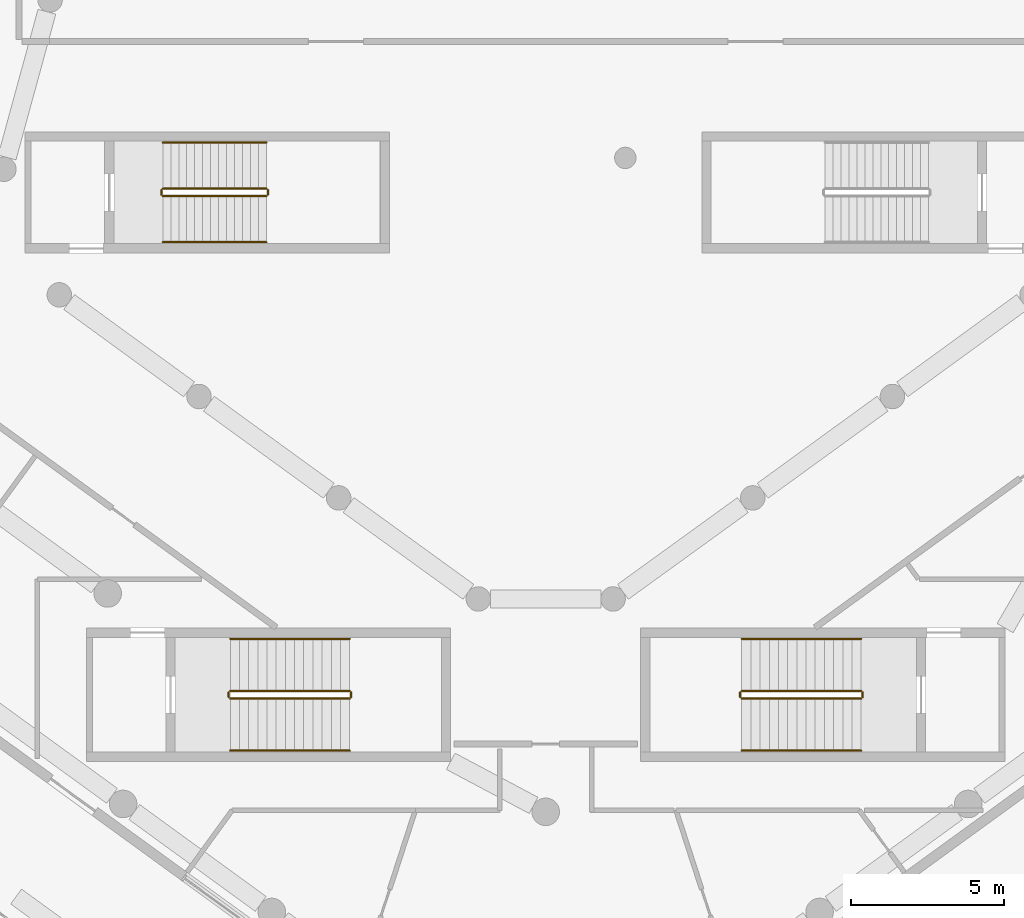
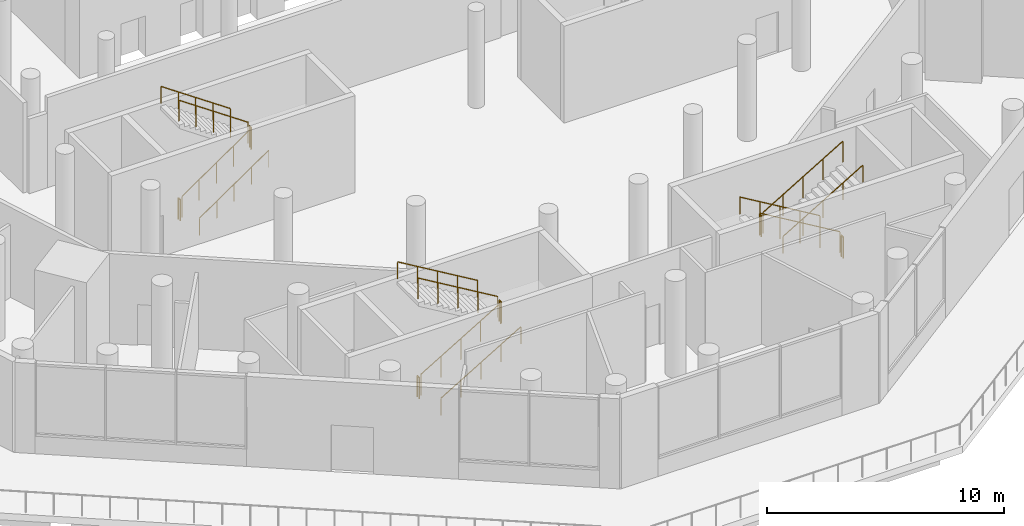
# One storey, part 15 of 19: 18 railings.
"""IFC4 building model written with IfcOpenShell, lengths in metres."""

from ifc_helpers import new_model, si_unit, direction, frame, origin, origin_2d, place, context, subcontext, project, spatial, circle, extrude, material, type_object, element, save


model = new_model("IFC4")

# Units and contexts
model_context = context("Model", 3, precision=1e-05, world=origin(), true_north=direction((0.0, 1.0)))
body_context = subcontext(model_context, "Body", "Model", "MODEL_VIEW")
ifc_project = project(units=[si_unit("LENGTHUNIT", "METRE"), si_unit("AREAUNIT", "SQUARE_METRE"), si_unit("VOLUMEUNIT", "CUBIC_METRE"), si_unit("PLANEANGLEUNIT", "RADIAN"), si_unit("MASSUNIT", "GRAM", prefix="KILO")], contexts=[model_context])

# Site, building, storey
site_placement = place(None, origin())
site = spatial("IfcSite", under=ifc_project, at=site_placement, CompositionType="ELEMENT")
building_placement = place(site_placement, origin())
building = spatial("IfcBuilding", under=site, at=building_placement, Name="White Candle Pilgrim Tower", CompositionType="ELEMENT")
storey_placement = place(building_placement, frame((0.0, 0.0, 29.0)))
storey = spatial("IfcBuildingStorey", under=building, at=storey_placement, Name="L04", CompositionType="ELEMENT", Elevation=29.0)

# Railings
ifc_material = material(Name="Stainless steel", Category="steel")
railing_type_1 = type_object("IfcRailingType", Name="Stair guard stainless steel 1100 mm", PredefinedType="GUARDRAIL", material=ifc_material)
railing_1_placement = place(storey_placement, frame((57.5, 59.75, 0.178466796875)))
element("IfcRailing", 1, at=railing_1_placement, inside=storey, type_object=railing_type_1, Name="L04 ST5 stair guard 1", PredefinedType="GUARDRAIL", context=body_context, shape_type="SweptSolid", body=[
    extrude(circle(Radius=0.02392578125, at=origin_2d()), frame((0.0, 0.0, 1.076171875), z_axis=(0.824285065979, 0.0, 0.566174999451), x_axis=(0.0, 1.0, 0.0)), (0.0, 0.0, 1.0), 4.100341796875),
    extrude(circle(Radius=0.02099609375, at=origin_2d()), origin(), (0.0, 0.0, 1.0), 1.052001953125),
    extrude(circle(Radius=0.02099609375, at=origin_2d()), frame((0.844970703125, 0.0, 0.580322265625)), (0.0, 0.0, 1.0), 1.052001953125),
    extrude(circle(Radius=0.02099609375, at=origin_2d()), frame((1.68994140625, 0.0, 1.16064453125)), (0.0, 0.0, 1.0), 1.052001953125),
    extrude(circle(Radius=0.02099609375, at=origin_2d()), frame((2.534912109375, 0.0, 1.7412109375)), (0.0, 0.0, 1.0), 1.052001953125),
    extrude(circle(Radius=0.02099609375, at=origin_2d()), frame((3.3798828125, 0.0, 2.321533203125)), (0.0, 0.0, 1.0), 1.052001953125),
])
railing_2_placement = place(storey_placement, frame((60.929931640625, 59.800048828125, 2.5)))
element("IfcRailing", 2, at=railing_2_placement, inside=storey, type_object=railing_type_1, Name="L04 ST5 stair guard 2", PredefinedType="GUARDRAIL", context=body_context, shape_type="SweptSolid", body=[
    extrude(circle(Radius=0.02392578125, at=origin_2d()), frame((0.0, 0.0, 1.076171875), z_axis=(0.0, 1.0, 0.0), x_axis=(-1.0, 0.0, 0.0)), (0.0, 0.0, 1.0), 0.14990234375),
    extrude(circle(Radius=0.02099609375, at=origin_2d()), origin(), (0.0, 0.0, 1.0), 1.052001953125),
    extrude(circle(Radius=0.02099609375, at=origin_2d()), frame((0.0, 0.14990234375, 0.0)), (0.0, 0.0, 1.0), 1.052001953125),
])
railing_3_placement = place(storey_placement, frame((60.8798828125, 60.0, 2.678466796875)))
element("IfcRailing", 3, at=railing_3_placement, inside=storey, type_object=railing_type_1, Name="L04 ST5 stair guard 3", PredefinedType="GUARDRAIL", context=body_context, shape_type="SweptSolid", body=[
    extrude(circle(Radius=0.02392578125, at=origin_2d()), frame((0.0, 0.0, 1.076171875), z_axis=(-0.824285065979, 0.0, 0.566174999451), x_axis=(0.0, -1.0, 0.0)), (0.0, 0.0, 1.0), 4.100341796875),
    extrude(circle(Radius=0.02099609375, at=origin_2d()), origin(), (0.0, 0.0, 1.0), 1.052001953125),
    extrude(circle(Radius=0.02099609375, at=origin_2d()), frame((-0.844970703125, 0.0, 0.580322265625)), (0.0, 0.0, 1.0), 1.052001953125),
    extrude(circle(Radius=0.02099609375, at=origin_2d()), frame((-1.68994140625, 0.0, 1.16064453125)), (0.0, 0.0, 1.0), 1.052001953125),
    extrude(circle(Radius=0.02099609375, at=origin_2d()), frame((-2.534912109375, 0.0, 1.7412109375)), (0.0, 0.0, 1.0), 1.052001953125),
    extrude(circle(Radius=0.02099609375, at=origin_2d()), frame((-3.3798828125, 0.0, 2.321533203125)), (0.0, 0.0, 1.0), 1.052001953125),
])
railing_4_placement = place(storey_placement, frame((57.449951171875, 59.800048828125, 0.0)))
element("IfcRailing", 4, at=railing_4_placement, inside=storey, type_object=railing_type_1, Name="L04 ST5 stair guard 4", PredefinedType="GUARDRAIL", context=body_context, shape_type="SweptSolid", body=[
    extrude(circle(Radius=0.02392578125, at=origin_2d()), frame((0.0, 0.0, 1.076171875), z_axis=(0.0, 1.0, 0.0), x_axis=(-1.0, 0.0, 0.0)), (0.0, 0.0, 1.0), 0.14990234375),
    extrude(circle(Radius=0.02099609375, at=origin_2d()), origin(), (0.0, 0.0, 1.0), 1.052001953125),
    extrude(circle(Radius=0.02099609375, at=origin_2d()), frame((0.0, 0.14990234375, 0.0)), (0.0, 0.0, 1.0), 1.052001953125),
])
railing_5_placement = place(storey_placement, frame((59.699951171875, 43.35009765625, 0.178466796875)))
element("IfcRailing", 5, at=railing_5_placement, inside=storey, type_object=railing_type_1, Name="L04 ST6 stair guard 1", PredefinedType="GUARDRAIL", context=body_context, shape_type="SweptSolid", body=[
    extrude(circle(Radius=0.02392578125, at=origin_2d()), frame((0.0, 0.0, 1.076171875), z_axis=(0.859291195736, 0.0, 0.511486696729), x_axis=(0.0, 1.0, 0.0)), (0.0, 0.0, 1.0), 4.538818359375),
    extrude(circle(Radius=0.02099609375, at=origin_2d()), origin(), (0.0, 0.0, 1.0), 1.052001953125),
    extrude(circle(Radius=0.02099609375, at=origin_2d()), frame((0.97509765625, 0.0, 0.580322265625)), (0.0, 0.0, 1.0), 1.052001953125),
    extrude(circle(Radius=0.02099609375, at=origin_2d()), frame((1.9501953125, 0.0, 1.16064453125)), (0.0, 0.0, 1.0), 1.052001953125),
    extrude(circle(Radius=0.02099609375, at=origin_2d()), frame((2.925048828125, 0.0, 1.7412109375)), (0.0, 0.0, 1.0), 1.052001953125),
    extrude(circle(Radius=0.02099609375, at=origin_2d()), frame((3.900146484375, 0.0, 2.321533203125)), (0.0, 0.0, 1.0), 1.052001953125),
])
railing_6_placement = place(storey_placement, frame((63.64990234375, 43.39990234375, 2.5)))
element("IfcRailing", 6, at=railing_6_placement, inside=storey, type_object=railing_type_1, Name="L04 ST6 stair guard 2", PredefinedType="GUARDRAIL", context=body_context, shape_type="SweptSolid", body=[
    extrude(circle(Radius=0.02392578125, at=origin_2d()), frame((0.0, 0.0, 1.076171875), z_axis=(0.0, 1.0, 0.0), x_axis=(-1.0, 0.0, 0.0)), (0.0, 0.0, 1.0), 0.150146484375),
    extrude(circle(Radius=0.02099609375, at=origin_2d()), origin(), (0.0, 0.0, 1.0), 1.052001953125),
    extrude(circle(Radius=0.02099609375, at=origin_2d()), frame((0.0, 0.150146484375, 0.0)), (0.0, 0.0, 1.0), 1.052001953125),
])
railing_7_placement = place(storey_placement, frame((63.60009765625, 43.60009765625, 2.678466796875)))
element("IfcRailing", 7, at=railing_7_placement, inside=storey, type_object=railing_type_1, Name="L04 ST6 stair guard 3", PredefinedType="GUARDRAIL", context=body_context, shape_type="SweptSolid", body=[
    extrude(circle(Radius=0.02392578125, at=origin_2d()), frame((0.0, 0.0, 1.076171875), z_axis=(-0.859291195736, 0.0, 0.511486696729), x_axis=(0.0, -1.0, 0.0)), (0.0, 0.0, 1.0), 4.538818359375),
    extrude(circle(Radius=0.02099609375, at=origin_2d()), origin(), (0.0, 0.0, 1.0), 1.052001953125),
    extrude(circle(Radius=0.02099609375, at=origin_2d()), frame((-0.97509765625, 0.0, 0.580322265625)), (0.0, 0.0, 1.0), 1.052001953125),
    extrude(circle(Radius=0.02099609375, at=origin_2d()), frame((-1.9501953125, 0.0, 1.16064453125)), (0.0, 0.0, 1.0), 1.052001953125),
    extrude(circle(Radius=0.02099609375, at=origin_2d()), frame((-2.925048828125, 0.0, 1.7412109375)), (0.0, 0.0, 1.0), 1.052001953125),
    extrude(circle(Radius=0.02099609375, at=origin_2d()), frame((-3.900146484375, 0.0, 2.321533203125)), (0.0, 0.0, 1.0), 1.052001953125),
])
railing_8_placement = place(storey_placement, frame((59.64990234375, 43.39990234375, 0.0)))
element("IfcRailing", 8, at=railing_8_placement, inside=storey, type_object=railing_type_1, Name="L04 ST6 stair guard 4", PredefinedType="GUARDRAIL", context=body_context, shape_type="SweptSolid", body=[
    extrude(circle(Radius=0.02392578125, at=origin_2d()), frame((0.0, 0.0, 1.076171875), z_axis=(0.0, 1.0, 0.0), x_axis=(-1.0, 0.0, 0.0)), (0.0, 0.0, 1.0), 0.150146484375),
    extrude(circle(Radius=0.02099609375, at=origin_2d()), origin(), (0.0, 0.0, 1.0), 1.052001953125),
    extrude(circle(Radius=0.02099609375, at=origin_2d()), frame((0.0, 0.150146484375, 0.0)), (0.0, 0.0, 1.0), 1.052001953125),
])
railing_9_placement = place(storey_placement, frame((80.300048828125, 43.60009765625, 0.178466796875)))
element("IfcRailing", 9, at=railing_9_placement, inside=storey, type_object=railing_type_1, Name="L04 ST7 stair guard 1", PredefinedType="GUARDRAIL", context=body_context, shape_type="SweptSolid", body=[
    extrude(circle(Radius=0.02392578125, at=origin_2d()), frame((0.0, 0.0, 1.076171875), z_axis=(-0.859291195736, 0.0, 0.511486696729), x_axis=(0.0, -1.0, 0.0)), (0.0, 0.0, 1.0), 4.538818359375),
    extrude(circle(Radius=0.02099609375, at=origin_2d()), origin(), (0.0, 0.0, 1.0), 1.052001953125),
    extrude(circle(Radius=0.02099609375, at=origin_2d()), frame((-0.97509765625, 0.0, 0.580322265625)), (0.0, 0.0, 1.0), 1.052001953125),
    extrude(circle(Radius=0.02099609375, at=origin_2d()), frame((-1.9501953125, 0.0, 1.16064453125)), (0.0, 0.0, 1.0), 1.052001953125),
    extrude(circle(Radius=0.02099609375, at=origin_2d()), frame((-2.925048828125, 0.0, 1.7412109375)), (0.0, 0.0, 1.0), 1.052001953125),
    extrude(circle(Radius=0.02099609375, at=origin_2d()), frame((-3.900146484375, 0.0, 2.321533203125)), (0.0, 0.0, 1.0), 1.052001953125),
])
railing_10_placement = place(storey_placement, frame((76.35009765625, 43.550048828125, 2.5)))
element("IfcRailing", 10, at=railing_10_placement, inside=storey, type_object=railing_type_1, Name="L04 ST7 stair guard 2", PredefinedType="GUARDRAIL", context=body_context, shape_type="SweptSolid", body=[
    extrude(circle(Radius=0.02392578125, at=origin_2d()), frame((0.0, 0.0, 1.076171875), z_axis=(0.0, -1.0, 0.0), x_axis=(1.0, 0.0, 0.0)), (0.0, 0.0, 1.0), 0.150146484375),
    extrude(circle(Radius=0.02099609375, at=origin_2d()), origin(), (0.0, 0.0, 1.0), 1.052001953125),
    extrude(circle(Radius=0.02099609375, at=origin_2d()), frame((0.0, -0.150146484375, 0.0)), (0.0, 0.0, 1.0), 1.052001953125),
])
railing_11_placement = place(storey_placement, frame((76.39990234375, 43.35009765625, 2.678466796875)))
element("IfcRailing", 11, at=railing_11_placement, inside=storey, type_object=railing_type_1, Name="L04 ST7 stair guard 3", PredefinedType="GUARDRAIL", context=body_context, shape_type="SweptSolid", body=[
    extrude(circle(Radius=0.02392578125, at=origin_2d()), frame((0.0, 0.0, 1.076171875), z_axis=(0.859291195736, 0.0, 0.511486696729), x_axis=(0.0, 1.0, 0.0)), (0.0, 0.0, 1.0), 4.538818359375),
    extrude(circle(Radius=0.02099609375, at=origin_2d()), origin(), (0.0, 0.0, 1.0), 1.052001953125),
    extrude(circle(Radius=0.02099609375, at=origin_2d()), frame((0.97509765625, 0.0, 0.580322265625)), (0.0, 0.0, 1.0), 1.052001953125),
    extrude(circle(Radius=0.02099609375, at=origin_2d()), frame((1.9501953125, 0.0, 1.16064453125)), (0.0, 0.0, 1.0), 1.052001953125),
    extrude(circle(Radius=0.02099609375, at=origin_2d()), frame((2.925048828125, 0.0, 1.7412109375)), (0.0, 0.0, 1.0), 1.052001953125),
    extrude(circle(Radius=0.02099609375, at=origin_2d()), frame((3.900146484375, 0.0, 2.321533203125)), (0.0, 0.0, 1.0), 1.052001953125),
])
railing_12_placement = place(storey_placement, frame((80.35009765625, 43.550048828125, 0.0)))
element("IfcRailing", 12, at=railing_12_placement, inside=storey, type_object=railing_type_1, Name="L04 ST7 stair guard 4", PredefinedType="GUARDRAIL", context=body_context, shape_type="SweptSolid", body=[
    extrude(circle(Radius=0.02392578125, at=origin_2d()), frame((0.0, 0.0, 1.076171875), z_axis=(0.0, -1.0, 0.0), x_axis=(1.0, 0.0, 0.0)), (0.0, 0.0, 1.0), 0.150146484375),
    extrude(circle(Radius=0.02099609375, at=origin_2d()), origin(), (0.0, 0.0, 1.0), 1.052001953125),
    extrude(circle(Radius=0.02099609375, at=origin_2d()), frame((0.0, -0.150146484375, 0.0)), (0.0, 0.0, 1.0), 1.052001953125),
])
railing_type_2 = type_object("IfcRailingType", Name="Stair handrail stainless steel", PredefinedType="HANDRAIL", material=ifc_material)
railing_13_placement = place(storey_placement, frame((57.5, 58.25, 0.178466796875)))
element("IfcRailing", 13, at=railing_13_placement, inside=storey, type_object=railing_type_2, Name="L04 ST5 stair handrail 1", PredefinedType="HANDRAIL", context=body_context, shape_type="SweptSolid", body=[
    extrude(circle(Radius=0.02392578125, at=origin_2d()), frame((0.0, 0.0, 0.8759765625), z_axis=(0.824285065979, 0.0, 0.566174999451), x_axis=(0.0, 1.0, 0.0)), (0.0, 0.0, 1.0), 4.100341796875),
    extrude(circle(Radius=0.02099609375, at=origin_2d()), origin(), (0.0, 0.0, 1.0), 0.851806640625),
    extrude(circle(Radius=0.02099609375, at=origin_2d()), frame((0.844970703125, 0.0, 0.580322265625)), (0.0, 0.0, 1.0), 0.851806640625),
    extrude(circle(Radius=0.02099609375, at=origin_2d()), frame((1.68994140625, 0.0, 1.16064453125)), (0.0, 0.0, 1.0), 0.851806640625),
    extrude(circle(Radius=0.02099609375, at=origin_2d()), frame((2.534912109375, 0.0, 1.7412109375)), (0.0, 0.0, 1.0), 0.851806640625),
    extrude(circle(Radius=0.02099609375, at=origin_2d()), frame((3.3798828125, 0.0, 2.321533203125)), (0.0, 0.0, 1.0), 0.851806640625),
])
railing_14_placement = place(storey_placement, frame((60.8798828125, 61.5, 2.678466796875)))
element("IfcRailing", 14, at=railing_14_placement, inside=storey, type_object=railing_type_2, Name="L04 ST5 stair handrail 2", PredefinedType="HANDRAIL", context=body_context, shape_type="SweptSolid", body=[
    extrude(circle(Radius=0.02392578125, at=origin_2d()), frame((0.0, 0.0, 0.8759765625), z_axis=(-0.824285065979, 0.0, 0.566174999451), x_axis=(0.0, -1.0, 0.0)), (0.0, 0.0, 1.0), 4.100341796875),
    extrude(circle(Radius=0.02099609375, at=origin_2d()), origin(), (0.0, 0.0, 1.0), 0.851806640625),
    extrude(circle(Radius=0.02099609375, at=origin_2d()), frame((-0.844970703125, 0.0, 0.580322265625)), (0.0, 0.0, 1.0), 0.851806640625),
    extrude(circle(Radius=0.02099609375, at=origin_2d()), frame((-1.68994140625, 0.0, 1.16064453125)), (0.0, 0.0, 1.0), 0.851806640625),
    extrude(circle(Radius=0.02099609375, at=origin_2d()), frame((-2.534912109375, 0.0, 1.7412109375)), (0.0, 0.0, 1.0), 0.851806640625),
    extrude(circle(Radius=0.02099609375, at=origin_2d()), frame((-3.3798828125, 0.0, 2.321533203125)), (0.0, 0.0, 1.0), 0.851806640625),
])
railing_15_placement = place(storey_placement, frame((59.699951171875, 41.64990234375, 0.178466796875)))
element("IfcRailing", 15, at=railing_15_placement, inside=storey, type_object=railing_type_2, Name="L04 ST6 stair handrail 1", PredefinedType="HANDRAIL", context=body_context, shape_type="SweptSolid", body=[
    extrude(circle(Radius=0.02392578125, at=origin_2d()), frame((0.0, 0.0, 0.8759765625), z_axis=(0.859291195736, 0.0, 0.511486696729), x_axis=(0.0, 1.0, 0.0)), (0.0, 0.0, 1.0), 4.538818359375),
    extrude(circle(Radius=0.02099609375, at=origin_2d()), origin(), (0.0, 0.0, 1.0), 0.851806640625),
    extrude(circle(Radius=0.02099609375, at=origin_2d()), frame((0.97509765625, 0.0, 0.580322265625)), (0.0, 0.0, 1.0), 0.851806640625),
    extrude(circle(Radius=0.02099609375, at=origin_2d()), frame((1.9501953125, 0.0, 1.16064453125)), (0.0, 0.0, 1.0), 0.851806640625),
    extrude(circle(Radius=0.02099609375, at=origin_2d()), frame((2.925048828125, 0.0, 1.7412109375)), (0.0, 0.0, 1.0), 0.851806640625),
    extrude(circle(Radius=0.02099609375, at=origin_2d()), frame((3.900146484375, 0.0, 2.321533203125)), (0.0, 0.0, 1.0), 0.851806640625),
])
for number, where, name in (
    (16, (63.60009765625, 45.300048828125, 2.678466796875), "L04 ST6 stair handrail 2"),
    (17, (80.300048828125, 45.300048828125, 0.178466796875), "L04 ST7 stair handrail 1"),
):
    element("IfcRailing", number, at=place(storey_placement, frame(where)), inside=storey, type_object=railing_type_2, Name=name, PredefinedType="HANDRAIL", context=body_context, shape_type="SweptSolid", body=[
        extrude(circle(Radius=0.02392578125, at=origin_2d()), frame((0.0, 0.0, 0.8759765625), z_axis=(-0.859291195736, 0.0, 0.511486696729), x_axis=(0.0, -1.0, 0.0)), (0.0, 0.0, 1.0), 4.538818359375),
        extrude(circle(Radius=0.02099609375, at=origin_2d()), origin(), (0.0, 0.0, 1.0), 0.851806640625),
        extrude(circle(Radius=0.02099609375, at=origin_2d()), frame((-0.97509765625, 0.0, 0.580322265625)), (0.0, 0.0, 1.0), 0.851806640625),
        extrude(circle(Radius=0.02099609375, at=origin_2d()), frame((-1.9501953125, 0.0, 1.16064453125)), (0.0, 0.0, 1.0), 0.851806640625),
        extrude(circle(Radius=0.02099609375, at=origin_2d()), frame((-2.925048828125, 0.0, 1.7412109375)), (0.0, 0.0, 1.0), 0.851806640625),
        extrude(circle(Radius=0.02099609375, at=origin_2d()), frame((-3.900146484375, 0.0, 2.321533203125)), (0.0, 0.0, 1.0), 0.851806640625),
    ])
railing_16_placement = place(storey_placement, frame((76.39990234375, 41.64990234375, 2.678466796875)))
element("IfcRailing", 18, at=railing_16_placement, inside=storey, type_object=railing_type_2, Name="L04 ST7 stair handrail 2", PredefinedType="HANDRAIL", context=body_context, shape_type="SweptSolid", body=[
    extrude(circle(Radius=0.02392578125, at=origin_2d()), frame((0.0, 0.0, 0.8759765625), z_axis=(0.859291195736, 0.0, 0.511486696729), x_axis=(0.0, 1.0, 0.0)), (0.0, 0.0, 1.0), 4.538818359375),
    extrude(circle(Radius=0.02099609375, at=origin_2d()), origin(), (0.0, 0.0, 1.0), 0.851806640625),
    extrude(circle(Radius=0.02099609375, at=origin_2d()), frame((0.97509765625, 0.0, 0.580322265625)), (0.0, 0.0, 1.0), 0.851806640625),
    extrude(circle(Radius=0.02099609375, at=origin_2d()), frame((1.9501953125, 0.0, 1.16064453125)), (0.0, 0.0, 1.0), 0.851806640625),
    extrude(circle(Radius=0.02099609375, at=origin_2d()), frame((2.925048828125, 0.0, 1.7412109375)), (0.0, 0.0, 1.0), 0.851806640625),
    extrude(circle(Radius=0.02099609375, at=origin_2d()), frame((3.900146484375, 0.0, 2.321533203125)), (0.0, 0.0, 1.0), 0.851806640625),
])

save(model, "model.ifc")
